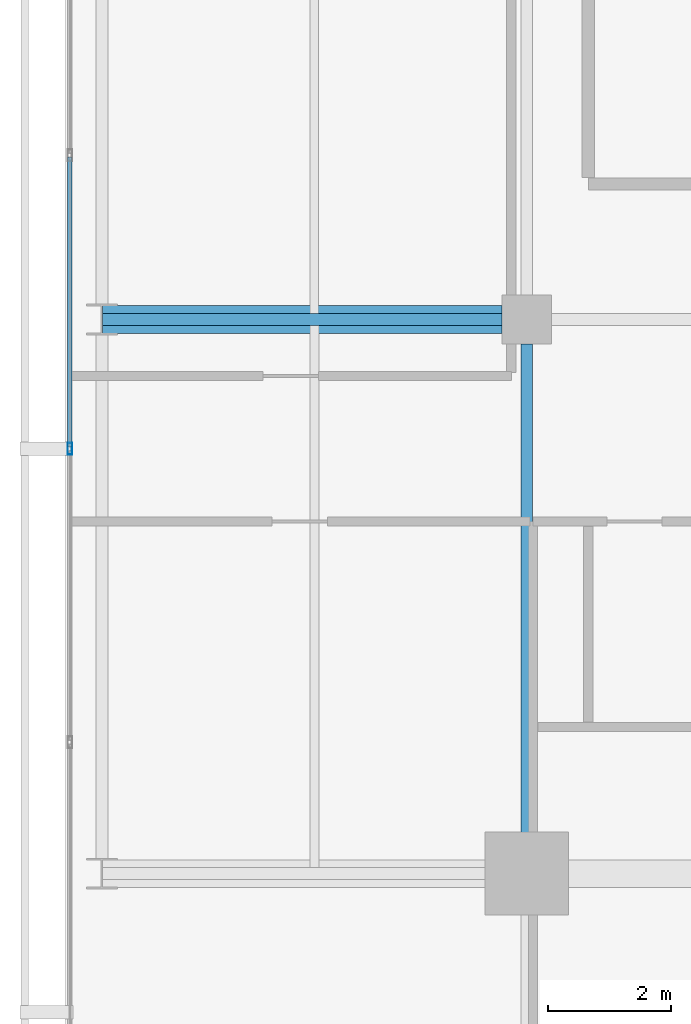
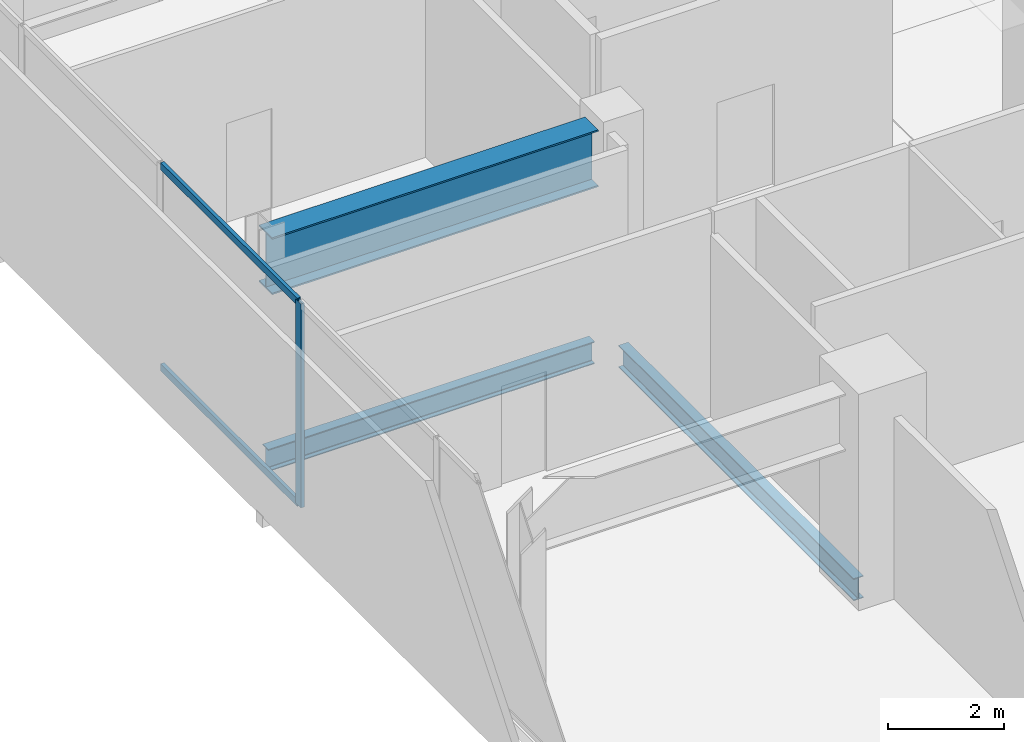
# One storey, part 7 of 23: 3 beams, 3 members, 1 element without a shape of its own.
"""IFC4 building model written with IfcOpenShell, lengths in metres."""

from ifc_helpers import new_model, si_unit, direction, frame, origin, origin_2d, place, context, subcontext, project, spatial, hollow_rectangle, i_section, extrude, material, layer, layer_set, material_profile, profile_set, type_object, element, aggregate, save


model = new_model("IFC4")

# Units and contexts
model_context = context("Model", 3, precision=1e-05, world=origin(), true_north=direction((0.0, 1.0)))
body_context = subcontext(model_context, "Body", "Model", "MODEL_VIEW")
ifc_project = project(units=[si_unit("LENGTHUNIT", "METRE"), si_unit("AREAUNIT", "SQUARE_METRE"), si_unit("VOLUMEUNIT", "CUBIC_METRE"), si_unit("PLANEANGLEUNIT", "RADIAN"), si_unit("MASSUNIT", "GRAM", prefix="KILO")], contexts=[model_context])

# Site, building, storey
site_placement = place(None, origin())
site = spatial("IfcSite", under=ifc_project, at=site_placement, CompositionType="ELEMENT")
building_placement = place(site_placement, origin())
building = spatial("IfcBuilding", under=site, at=building_placement, Name="Maruvema Waterfront Hotel and Observation Tower", CompositionType="ELEMENT")
storey_placement = place(building_placement, frame((0.0, 0.0, 349.64990234375)))
storey = spatial("IfcBuildingStorey", under=building, at=storey_placement, Name="L86", CompositionType="ELEMENT", Elevation=349.64990234375)

# Curtain wall, members
ifc_material_1 = material(Name="Anodised bronze aluminium and solar-control low-E IGU", Category="aluminium")
ifc_layer = layer(ifc_material_1, 0.159912109375, Name="Observation Crown Structural Glazed Curtain Wall System CW-06")
ifc_layer_set = layer_set([ifc_layer], Name="Anodised bronze aluminium and solar-control low-E IGU")
curtain_wall_type = type_object("IfcCurtainWallType", Name="Observation Crown Structural Glazed Curtain Wall System CW-06", PredefinedType="USERDEFINED", material=ifc_layer_set)
curtain_wall_placement = place(storey_placement, origin())
curtain_wall = element("IfcCurtainWall", 1, at=curtain_wall_placement, inside=storey, type_object=curtain_wall_type, Name="L86 Curtain Wall CW-L86-W", ObjectType="UNITISED CURTAIN WALL", PredefinedType="USERDEFINED")
ifc_material_2 = material(Name="Anodised architectural bronze aluminium", Category="aluminium")
ifc_material_profile_1 = material_profile(ifc_material_2, hollow_rectangle(XDim=0.070068359375, YDim=0.14990234375, WallThickness=0.00390625, at=origin_2d()), Name="ALU-T70x150")
ifc_profile_set_1 = profile_set([ifc_material_profile_1], Name="Anodised architectural bronze aluminium")
member_type_1 = type_object("IfcMemberType", Name="Curtain Wall Horizontal Transom ALU-T70x150", PredefinedType="USERDEFINED", material=ifc_profile_set_1)
member_1_placement = place(storey_placement, frame((17.780029296875, 38.63671875, 0.030029296875), z_axis=(0.0, -1.0, 0.0), x_axis=(1.0, 0.0, 0.0)))
member_1 = element("IfcMember", 2, at=member_1_placement, type_object=member_type_1, Name="CW-06 transom 3.1", ObjectType="TRANSOM", PredefinedType="USERDEFINED", context=body_context, shape_type="SweptSolid", body=[
    extrude(hollow_rectangle(XDim=0.070068359375, YDim=0.14990234375, WallThickness=0.00390625, at=origin_2d()), origin(), (0.0, 0.0, 1.0), 4.706787109375),
])
member_2_placement = place(storey_placement, frame((17.780029296875, 38.63671875, 4.260009765625), z_axis=(0.0, -1.0, 0.0), x_axis=(1.0, 0.0, 0.0)))
member_2 = element("IfcMember", 3, at=member_2_placement, type_object=member_type_1, Name="CW-06 transom 3.2", ObjectType="TRANSOM", PredefinedType="USERDEFINED", context=body_context, shape_type="SweptSolid", body=[
    extrude(hollow_rectangle(XDim=0.070068359375, YDim=0.14990234375, WallThickness=0.00390625, at=origin_2d()), origin(), (0.0, 0.0, 1.0), 4.706787109375),
])
ifc_material_3 = material(Name="Anodised architectural bronze aluminium", Category="aluminium")
ifc_material_profile_2 = material_profile(ifc_material_3, hollow_rectangle(XDim=0.070068359375, YDim=0.18994140625, WallThickness=0.00390625, at=origin_2d()), Name="ALU-M70x190")
ifc_profile_set_2 = profile_set([ifc_material_profile_2], Name="Anodised architectural bronze aluminium")
member_type_2 = type_object("IfcMemberType", Name="Podium Storefront Heavy Mullion ALU-M70x190", PredefinedType="MULLION", material=ifc_profile_set_2)
member_3_placement = place(storey_placement, frame((17.780029296875, 33.89990234375, 0.0), z_axis=(0.0, 0.0, 1.0), x_axis=(1.0, 0.0, 0.0)))
member_3 = element("IfcMember", 4, at=member_3_placement, type_object=member_type_2, Name="CW-06 mullion 4", PredefinedType="MULLION", context=body_context, shape_type="SweptSolid", body=[
    extrude(hollow_rectangle(XDim=0.070068359375, YDim=0.18994140625, WallThickness=0.00390625, at=origin_2d()), origin(), (0.0, 0.0, 1.0), 4.2900390625),
])
aggregate(curtain_wall, [member_3, member_1, member_2])

# Beams
ifc_material_4 = material(Name="Steel ASTM A572 Grade 50", Category="steel")
ifc_material_profile_3 = material_profile(ifc_material_4, i_section(OverallWidth=0.194091796875, OverallDepth=0.468994140625, WebThickness=0.0126953125, FlangeThickness=0.0205078125, FilletRadius=0.014892578125, at=origin_2d()), Name="W460x106.0")
ifc_profile_set_3 = profile_set([ifc_material_profile_3], Name="Steel ASTM A572 Grade 50")
beam_type_1 = type_object("IfcBeamType", Name="Primary Floor Girder W460x106.0", PredefinedType="BEAM", material=ifc_profile_set_3)
beam_1_placement = place(storey_placement, frame((18.31103515625, 36.0, -0.474365234375), z_axis=(1.0, 0.0, 0.0), x_axis=(0.0, 1.0, 0.0)))
element("IfcBeam", 5, at=beam_1_placement, inside=storey, type_object=beam_type_1, Name="L86 Floor Girder EW-10", PredefinedType="BEAM", context=body_context, shape_type="SweptSolid", body=[
    extrude(i_section(OverallWidth=0.194091796875, OverallDepth=0.468994140625, WebThickness=0.0126953125, FlangeThickness=0.0205078125, FilletRadius=0.014892578125, at=origin_2d()), origin(), (0.0, 0.0, 1.0), 6.489013671875),
])
beam_2_placement = place(storey_placement, frame((25.199951171875, 27.5, -0.474365234375), z_axis=(0.0, 1.0, 0.0), x_axis=(-1.0, 0.0, 0.0)))
element("IfcBeam", 6, at=beam_2_placement, inside=storey, type_object=beam_type_1, Name="L86 Floor Girder NS-05", PredefinedType="BEAM", context=body_context, shape_type="SweptSolid", body=[
    extrude(i_section(OverallWidth=0.194091796875, OverallDepth=0.468994140625, WebThickness=0.0126953125, FlangeThickness=0.0205078125, FilletRadius=0.014892578125, at=origin_2d()), origin(), (0.0, 0.0, 1.0), 8.10009765625),
])
ifc_material_5 = material(Name="Steel ABNT NBR 7007 AR 415 (ASTM A572 Grade 50)", Category="steel")
ifc_material_profile_4 = material_profile(ifc_material_5, i_section(OverallWidth=0.449951171875, OverallDepth=1.199951171875, WebThickness=0.01904296875, FlangeThickness=0.031982421875, at=origin_2d()), Name="VS1200x366")
ifc_profile_set_4 = profile_set([ifc_material_profile_4], Name="Steel ABNT NBR 7007 AR 415 (ASTM A572 Grade 50)")
beam_type_2 = type_object("IfcBeamType", Name="Upper Setback Transfer Girder VS1200x366", PredefinedType="USERDEFINED", material=ifc_profile_set_4)
beam_3_placement = place(storey_placement, frame((18.31103515625, 36.0, 3.690185546875), z_axis=(1.0, 0.0, 0.0), x_axis=(0.0, 1.0, 0.0)))
element("IfcBeam", 7, at=beam_3_placement, inside=storey, type_object=beam_type_2, Name="L86 Upper Setback Transfer Girder W Y=36.0m", ObjectType="TRANSFER GIRDER", PredefinedType="USERDEFINED", context=body_context, shape_type="SweptSolid", body=[
    extrude(i_section(OverallWidth=0.449951171875, OverallDepth=1.199951171875, WebThickness=0.01904296875, FlangeThickness=0.031982421875, at=origin_2d()), origin(), (0.0, 0.0, 1.0), 6.489013671875),
])

save(model, "model.ifc")
